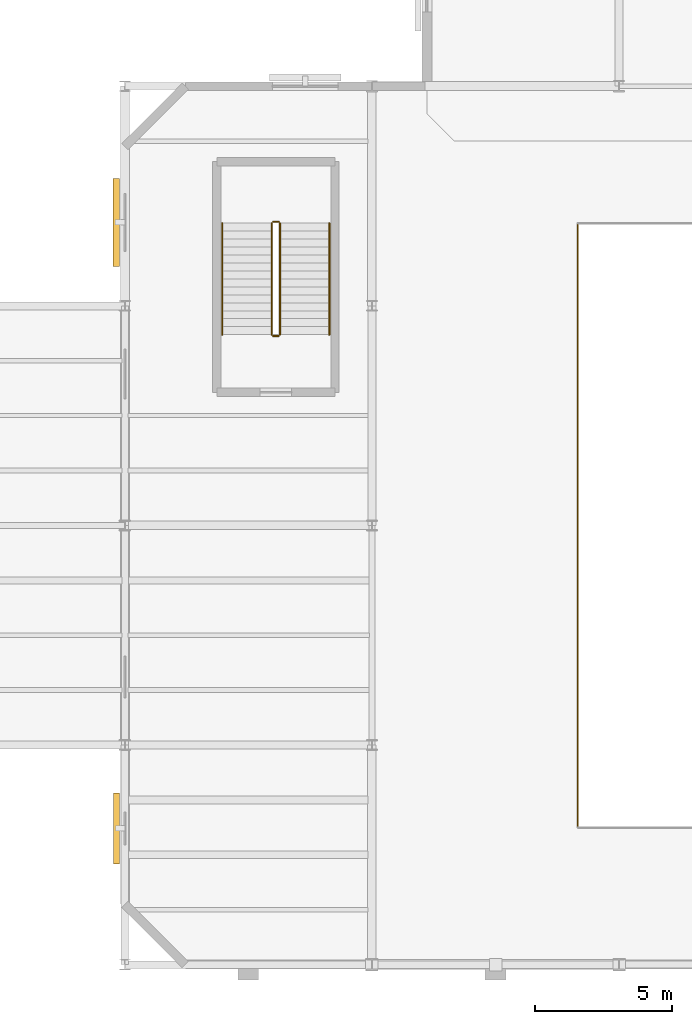
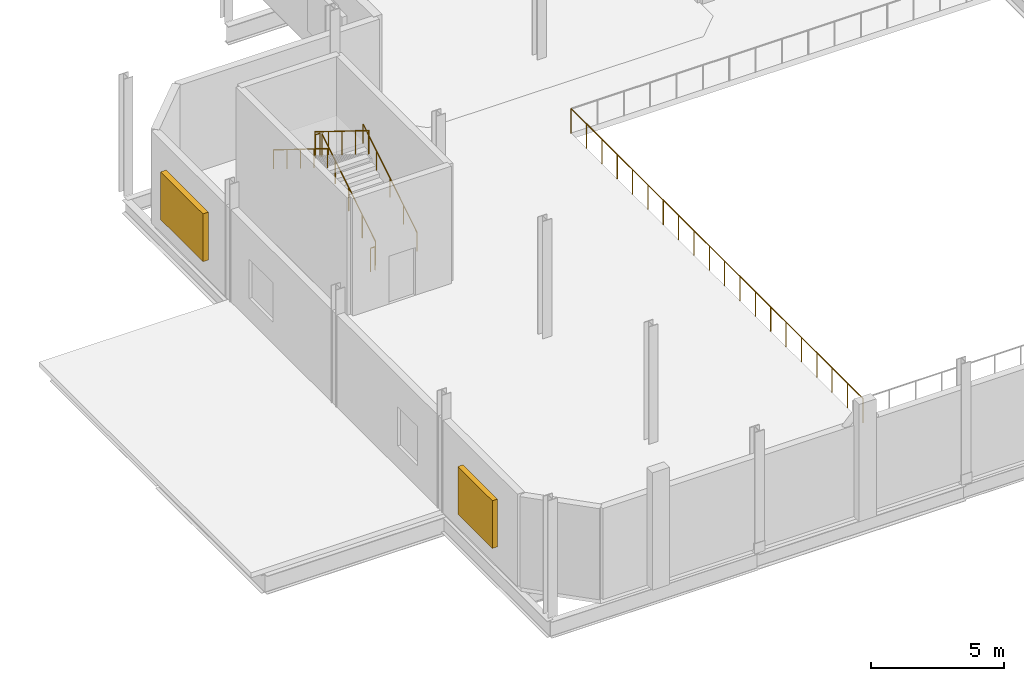
# One storey, part 131 of 142: 7 railings, 2 shading devices.
"""IFC4 building model written with IfcOpenShell, lengths in metres."""

from ifc_helpers import new_model, si_unit, direction, frame, frame_2d, origin, origin_2d, place, context, subcontext, project, spatial, rectangle, circle, extrude, material, type_object, element, save


model = new_model("IFC4")

# Units and contexts
model_context = context("Model", 3, precision=1e-05, world=origin(), true_north=direction((0.0, 1.0)))
body_context = subcontext(model_context, "Body", "Model", "MODEL_VIEW")
ifc_project = project(units=[si_unit("LENGTHUNIT", "METRE"), si_unit("AREAUNIT", "SQUARE_METRE"), si_unit("VOLUMEUNIT", "CUBIC_METRE"), si_unit("PLANEANGLEUNIT", "RADIAN"), si_unit("MASSUNIT", "GRAM", prefix="KILO"), si_unit("THERMODYNAMICTEMPERATUREUNIT", "KELVIN"), si_unit("POWERUNIT", "WATT")], contexts=[model_context])

# Site, building, storey
site_placement = place(None, origin())
site = spatial("IfcSite", under=ifc_project, at=site_placement, CompositionType="ELEMENT")
building_placement = place(site_placement, origin())
building = spatial("IfcBuilding", under=site, at=building_placement, Name="Zelmaris Science Centre", CompositionType="ELEMENT")
storey_placement = place(building_placement, frame((0.0, 0.0, 5.39990234375)))
storey = spatial("IfcBuildingStorey", under=building, at=storey_placement, Name="L01", CompositionType="ELEMENT", Elevation=5.39990234375)

# Railings
ifc_material = material(Name="Architectural bronze alloy C28000")
railing_type_1 = type_object("IfcRailingType", Name="Balustrade GD-01 H1120", PredefinedType="BALUSTRADE", material=ifc_material)
railing_1_placement = place(storey_placement, frame((14.64990234375, 30.949951171875, 0.18017578125)))
element("IfcRailing", 1, at=railing_1_placement, inside=storey, type_object=railing_type_1, Name="L01 ST-6 stair guard 1", PredefinedType="BALUSTRADE", context=body_context, shape_type="SweptSolid", body=[
    extrude(circle(Radius=0.02392578125, at=origin_2d()), frame((0.0, 0.0, 1.076171875), z_axis=(0.0, 0.849641744969, 0.527360318194), x_axis=(-1.0, 0.0, 0.0)), (0.0, 0.0, 1.0), 4.778564453125),
    extrude(circle(Radius=0.02099609375, at=origin_2d()), origin(), (0.0, 0.0, 1.0), 1.052001953125),
    extrude(circle(Radius=0.02099609375, at=origin_2d()), frame((0.0, 1.01513671875, 0.6298828125)), (0.0, 0.0, 1.0), 1.052001953125),
    extrude(circle(Radius=0.02099609375, at=origin_2d()), frame((0.0, 2.030029296875, 1.260009765625)), (0.0, 0.0, 1.0), 1.052001953125),
    extrude(circle(Radius=0.02099609375, at=origin_2d()), frame((0.0, 3.044921875, 1.89013671875)), (0.0, 0.0, 1.0), 1.052001953125),
    extrude(circle(Radius=0.02099609375, at=origin_2d()), frame((0.0, 4.06005859375, 2.52001953125)), (0.0, 0.0, 1.0), 1.052001953125),
])
railing_2_placement = place(storey_placement, frame((14.60009765625, 35.06005859375, 2.7001953125)))
element("IfcRailing", 2, at=railing_2_placement, inside=storey, type_object=railing_type_1, Name="L01 ST-6 stair guard 2", PredefinedType="BALUSTRADE", context=body_context, shape_type="SweptSolid", body=[
    extrude(circle(Radius=0.02392578125, at=origin_2d()), frame((0.0, 0.0, 1.076171875), z_axis=(-1.0, 0.0, 0.0), x_axis=(0.0, -1.0, 0.0)), (0.0, 0.0, 1.0), 0.2001953125),
    extrude(circle(Radius=0.02099609375, at=origin_2d()), origin(), (0.0, 0.0, 1.0), 1.052001953125),
    extrude(circle(Radius=0.02099609375, at=origin_2d()), frame((-0.2001953125, 0.0, 0.0)), (0.0, 0.0, 1.0), 1.052001953125),
])
railing_3_placement = place(storey_placement, frame((14.35009765625, 35.010009765625, 2.880126953125)))
element("IfcRailing", 3, at=railing_3_placement, inside=storey, type_object=railing_type_1, Name="L01 ST-6 stair guard 3", PredefinedType="BALUSTRADE", context=body_context, shape_type="SweptSolid", body=[
    extrude(circle(Radius=0.02392578125, at=origin_2d()), frame((0.0, 0.0, 1.076171875), z_axis=(0.0, -0.849641744969, 0.527360318194), x_axis=(1.0, 0.0, 0.0)), (0.0, 0.0, 1.0), 4.778564453125),
    extrude(circle(Radius=0.02099609375, at=origin_2d()), origin(), (0.0, 0.0, 1.0), 1.052001953125),
    extrude(circle(Radius=0.02099609375, at=origin_2d()), frame((0.0, -1.01513671875, 0.6298828125)), (0.0, 0.0, 1.0), 1.052001953125),
    extrude(circle(Radius=0.02099609375, at=origin_2d()), frame((0.0, -2.030029296875, 1.260009765625)), (0.0, 0.0, 1.0), 1.052001953125),
    extrude(circle(Radius=0.02099609375, at=origin_2d()), frame((0.0, -3.044921875, 1.89013671875)), (0.0, 0.0, 1.0), 1.052001953125),
    extrude(circle(Radius=0.02099609375, at=origin_2d()), frame((0.0, -4.06005859375, 2.52001953125)), (0.0, 0.0, 1.0), 1.052001953125),
])
railing_4_placement = place(storey_placement, frame((14.60009765625, 30.89990234375, 0.0)))
element("IfcRailing", 4, at=railing_4_placement, inside=storey, type_object=railing_type_1, Name="L01 ST-6 stair guard 4", PredefinedType="BALUSTRADE", context=body_context, shape_type="SweptSolid", body=[
    extrude(circle(Radius=0.02392578125, at=origin_2d()), frame((0.0, 0.0, 1.076171875), z_axis=(-1.0, 0.0, 0.0), x_axis=(0.0, -1.0, 0.0)), (0.0, 0.0, 1.0), 0.2001953125),
    extrude(circle(Radius=0.02099609375, at=origin_2d()), origin(), (0.0, 0.0, 1.0), 1.052001953125),
    extrude(circle(Radius=0.02099609375, at=origin_2d()), frame((-0.2001953125, 0.0, 0.0)), (0.0, 0.0, 1.0), 1.052001953125),
])
railing_type_2 = type_object("IfcRailingType", Name="Balustrade GD-02 H1150", PredefinedType="BALUSTRADE", material=ifc_material)
railing_5_placement = place(storey_placement, frame((25.5, 35.0, 0.0)))
element("IfcRailing", 5, at=railing_5_placement, inside=storey, type_object=railing_type_2, Name="L01 Theatre bowl mezzanine balustrade 9", PredefinedType="BALUSTRADE", context=body_context, shape_type="SweptSolid", body=[
    extrude(circle(Radius=0.02392578125, at=origin_2d()), frame((0.0, 0.0, 1.1259765625), z_axis=(0.0, -1.0, 0.0), x_axis=(1.0, 0.0, 0.0)), (0.0, 0.0, 1.0), 22.0),
    extrude(circle(Radius=0.02099609375, at=origin_2d()), origin(), (0.0, 0.0, 1.0), 1.101806640625),
    extrude(circle(Radius=0.02099609375, at=origin_2d()), frame((0.0, -1.157958984375, 0.0)), (0.0, 0.0, 1.0), 1.101806640625),
    extrude(circle(Radius=0.02099609375, at=origin_2d()), frame((0.0, -2.315673828125, 0.0)), (0.0, 0.0, 1.0), 1.101806640625),
    extrude(circle(Radius=0.02099609375, at=origin_2d()), frame((0.0, -3.4736328125, 0.0)), (0.0, 0.0, 1.0), 1.101806640625),
    extrude(circle(Radius=0.02099609375, at=origin_2d()), frame((0.0, -4.631591796875, 0.0)), (0.0, 0.0, 1.0), 1.101806640625),
    extrude(circle(Radius=0.02099609375, at=origin_2d()), frame((0.0, -5.78955078125, 0.0)), (0.0, 0.0, 1.0), 1.101806640625),
    extrude(circle(Radius=0.02099609375, at=origin_2d()), frame((0.0, -6.947265625, 0.0)), (0.0, 0.0, 1.0), 1.101806640625),
    extrude(circle(Radius=0.02099609375, at=origin_2d()), frame((0.0, -8.105224609375, 0.0)), (0.0, 0.0, 1.0), 1.101806640625),
    extrude(circle(Radius=0.02099609375, at=origin_2d()), frame((0.0, -9.26318359375, 0.0)), (0.0, 0.0, 1.0), 1.101806640625),
    extrude(circle(Radius=0.02099609375, at=origin_2d()), frame((0.0, -10.421142578125, 0.0)), (0.0, 0.0, 1.0), 1.101806640625),
    extrude(circle(Radius=0.02099609375, at=origin_2d()), frame((0.0, -11.578857421875, 0.0)), (0.0, 0.0, 1.0), 1.101806640625),
    extrude(circle(Radius=0.02099609375, at=origin_2d()), frame((0.0, -12.73681640625, 0.0)), (0.0, 0.0, 1.0), 1.101806640625),
    extrude(circle(Radius=0.02099609375, at=origin_2d()), frame((0.0, -13.894775390625, 0.0)), (0.0, 0.0, 1.0), 1.101806640625),
    extrude(circle(Radius=0.02099609375, at=origin_2d()), frame((0.0, -15.052734375, 0.0)), (0.0, 0.0, 1.0), 1.101806640625),
    extrude(circle(Radius=0.02099609375, at=origin_2d()), frame((0.0, -16.21044921875, 0.0)), (0.0, 0.0, 1.0), 1.101806640625),
    extrude(circle(Radius=0.02099609375, at=origin_2d()), frame((0.0, -17.368408203125, 0.0)), (0.0, 0.0, 1.0), 1.101806640625),
    extrude(circle(Radius=0.02099609375, at=origin_2d()), frame((0.0, -18.5263671875, 0.0)), (0.0, 0.0, 1.0), 1.101806640625),
    extrude(circle(Radius=0.02099609375, at=origin_2d()), frame((0.0, -19.684326171875, 0.0)), (0.0, 0.0, 1.0), 1.101806640625),
    extrude(circle(Radius=0.02099609375, at=origin_2d()), frame((0.0, -20.842041015625, 0.0)), (0.0, 0.0, 1.0), 1.101806640625),
    extrude(circle(Radius=0.02099609375, at=origin_2d()), frame((0.0, -22.0, 0.0)), (0.0, 0.0, 1.0), 1.101806640625),
])

# Shading devices
shading_device_type_1 = type_object("IfcShadingDeviceType", Name="Bronze Storm Louvre LV-01 2600x2200", PredefinedType="JALOUSIE", material=ifc_material)
shading_device_1_placement = place(storey_placement, frame((8.7001953125, 11.659912109375, 0.9501953125), z_axis=(0.0, 0.0, 1.0), x_axis=(0.0, 1.0, 0.0)))
element("IfcShadingDevice", 6, at=shading_device_1_placement, inside=storey, type_object=shading_device_type_1, Name="L01 Bronze storm louvre 1", PredefinedType="JALOUSIE", context=body_context, shape_type="SweptSolid", body=[
    extrude(rectangle(XDim=2.60009765625, YDim=0.219970703125, at=frame_2d((1.300048828125, 0.0))), origin(), (0.0, 0.0, 1.0), 2.199951171875),
])
shading_device_type_2 = type_object("IfcShadingDeviceType", Name="Bronze Storm Louvre LV-02 3200x2200", PredefinedType="JALOUSIE", material=ifc_material)
shading_device_2_placement = place(storey_placement, frame((8.690185546875, 33.43994140625, 0.9501953125), z_axis=(0.0, 0.0, 1.0), x_axis=(0.0, 1.0, 0.0)))
element("IfcShadingDevice", 7, at=shading_device_2_placement, inside=storey, type_object=shading_device_type_2, Name="L01 Bronze storm louvre 2", PredefinedType="JALOUSIE", context=body_context, shape_type="SweptSolid", body=[
    extrude(rectangle(XDim=3.199951171875, YDim=0.239990234375, at=frame_2d((1.60009765625, 0.0))), origin(), (0.0, 0.0, 1.0), 2.199951171875),
])

# Railings
railing_type_3 = type_object("IfcRailingType", Name="Handrail HR-01 H900", PredefinedType="HANDRAIL", material=ifc_material)
railing_6_placement = place(storey_placement, frame((16.449951171875, 30.949951171875, 0.18017578125)))
element("IfcRailing", 8, at=railing_6_placement, inside=storey, type_object=railing_type_3, Name="L01 ST-6 stair handrail 1", PredefinedType="HANDRAIL", context=body_context, shape_type="SweptSolid", body=[
    extrude(circle(Radius=0.02392578125, at=origin_2d()), frame((0.0, 0.0, 0.8759765625), z_axis=(0.0, 0.849641744969, 0.527360318194), x_axis=(-1.0, 0.0, 0.0)), (0.0, 0.0, 1.0), 4.778564453125),
    extrude(circle(Radius=0.02099609375, at=origin_2d()), origin(), (0.0, 0.0, 1.0), 0.851806640625),
    extrude(circle(Radius=0.02099609375, at=origin_2d()), frame((0.0, 1.01513671875, 0.6298828125)), (0.0, 0.0, 1.0), 0.851806640625),
    extrude(circle(Radius=0.02099609375, at=origin_2d()), frame((0.0, 2.030029296875, 1.260009765625)), (0.0, 0.0, 1.0), 0.851806640625),
    extrude(circle(Radius=0.02099609375, at=origin_2d()), frame((0.0, 3.044921875, 1.89013671875)), (0.0, 0.0, 1.0), 0.851806640625),
    extrude(circle(Radius=0.02099609375, at=origin_2d()), frame((0.0, 4.06005859375, 2.52001953125)), (0.0, 0.0, 1.0), 0.851806640625),
])
railing_7_placement = place(storey_placement, frame((12.550048828125, 35.010009765625, 2.880126953125)))
element("IfcRailing", 9, at=railing_7_placement, inside=storey, type_object=railing_type_3, Name="L01 ST-6 stair handrail 2", PredefinedType="HANDRAIL", context=body_context, shape_type="SweptSolid", body=[
    extrude(circle(Radius=0.02392578125, at=origin_2d()), frame((0.0, 0.0, 0.8759765625), z_axis=(0.0, -0.849641744969, 0.527360318194), x_axis=(1.0, 0.0, 0.0)), (0.0, 0.0, 1.0), 4.778564453125),
    extrude(circle(Radius=0.02099609375, at=origin_2d()), origin(), (0.0, 0.0, 1.0), 0.851806640625),
    extrude(circle(Radius=0.02099609375, at=origin_2d()), frame((0.0, -1.01513671875, 0.6298828125)), (0.0, 0.0, 1.0), 0.851806640625),
    extrude(circle(Radius=0.02099609375, at=origin_2d()), frame((0.0, -2.030029296875, 1.260009765625)), (0.0, 0.0, 1.0), 0.851806640625),
    extrude(circle(Radius=0.02099609375, at=origin_2d()), frame((0.0, -3.044921875, 1.89013671875)), (0.0, 0.0, 1.0), 0.851806640625),
    extrude(circle(Radius=0.02099609375, at=origin_2d()), frame((0.0, -4.06005859375, 2.52001953125)), (0.0, 0.0, 1.0), 0.851806640625),
])

save(model, "model.ifc")
